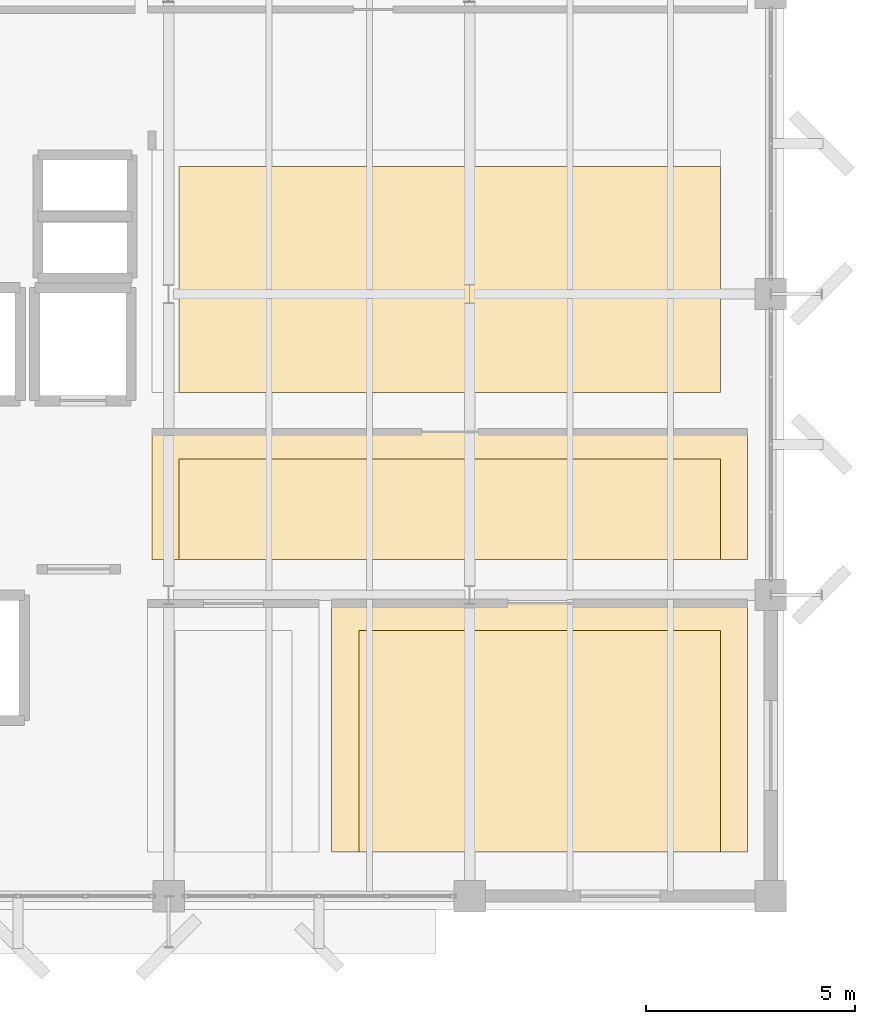
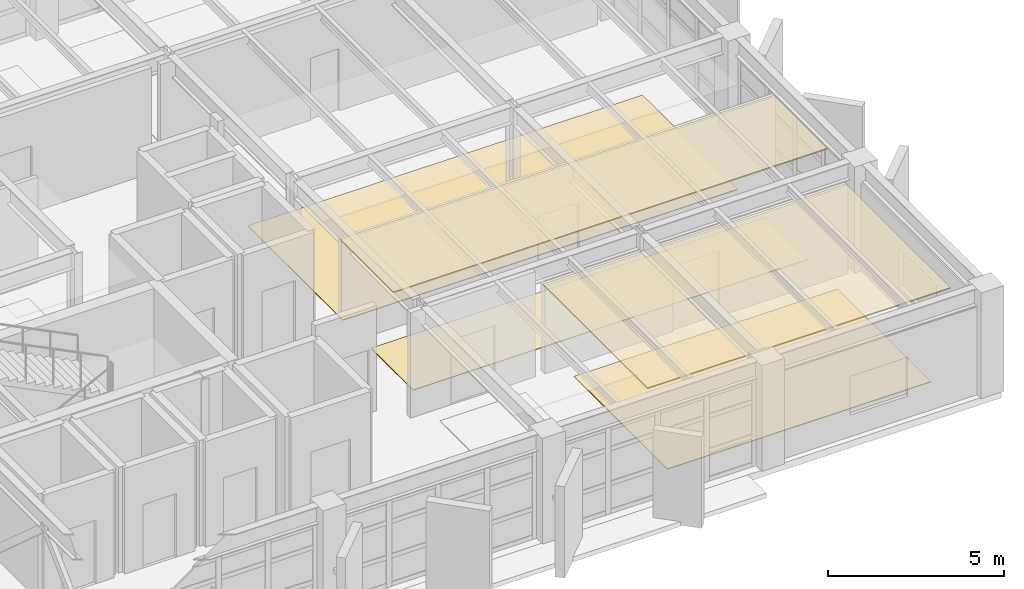
# One storey, part 22 of 24: 5 coverings.
"""IFC4 building model written with IfcOpenShell, lengths in metres."""

from ifc_helpers import new_model, si_unit, direction, frame, origin, place, context, subcontext, project, spatial, polyline, outline, extrude, material, layer, layer_set, type_object, element, save


model = new_model("IFC4")

# Units and contexts
model_context = context("Model", 3, precision=1e-05, world=origin(), true_north=direction((0.0, 1.0)))
body_context = subcontext(model_context, "Body", "Model", "MODEL_VIEW")
ifc_project = project(units=[si_unit("LENGTHUNIT", "METRE"), si_unit("AREAUNIT", "SQUARE_METRE"), si_unit("VOLUMEUNIT", "CUBIC_METRE"), si_unit("PLANEANGLEUNIT", "RADIAN"), si_unit("MASSUNIT", "GRAM", prefix="KILO")], contexts=[model_context])

# Site, building, storey
site_placement = place(None, origin())
site = spatial("IfcSite", under=ifc_project, at=site_placement, CompositionType="ELEMENT")
building_placement = place(site_placement, origin())
building = spatial("IfcBuilding", under=site, at=building_placement, Name="Kandorven Conservatory and Botanical Research Centre", CompositionType="ELEMENT")
storey_placement = place(building_placement, frame((0.0, 0.0, 21.0)))
storey = spatial("IfcBuildingStorey", under=building, at=storey_placement, Name="L05", CompositionType="ELEMENT", Elevation=21.0)

# Coverings
ifc_material_1 = material(Name="Perforated mineral-fibre acoustic ceiling tile", Category="gypsum")
ifc_layer_1 = layer(ifc_material_1, 0.0400390625)
ifc_layer_set_1 = layer_set([ifc_layer_1], Name="Perforated mineral-fibre acoustic ceiling tile")
covering_type_1 = type_object("IfcCoveringType", Name="Cov_Ceiling_1", PredefinedType="CEILING", material=ifc_layer_set_1)
covering_1_placement = place(storey_placement, frame((0.0, 0.0, 3.610107421875)))
element("IfcCovering", 1, at=covering_1_placement, inside=storey, type_object=covering_type_1, Name="Suspended acoustic ceiling CLG-01 (Plant Pathology Research Laboratory L05)", PredefinedType="CEILING", context=body_context, shape_type="SweptSolid", body=[
    extrude(outline(polyline([(27.199951171875, 14.050048828125), (41.449951171875, 14.050048828125), (41.449951171875, 17.10009765625), (27.199951171875, 17.10009765625), (27.199951171875, 14.050048828125)])), origin(), (0.0, 0.0, 1.0), 0.039794921875),
])
covering_2_placement = place(storey_placement, frame((0.0, 0.0, 3.02001953125)))
element("IfcCovering", 2, at=covering_2_placement, inside=storey, type_object=covering_type_1, Name="Suspended acoustic ceiling CLG-01 (Seed Biology Research Laboratory L05)", PredefinedType="CEILING", context=body_context, shape_type="SweptSolid", body=[
    extrude(outline(polyline([(31.5, 7.050048828125), (41.449951171875, 7.050048828125), (41.449951171875, 13.0), (31.5, 13.0), (31.5, 7.050048828125)])), origin(), (0.0, 0.0, 1.0), 0.0400390625),
])
ifc_material_2 = material(Name="Honed Kota stone and epoxy laboratory flooring", Category="masonry")
ifc_layer_2 = layer(ifc_material_2, 0.02490234375)
ifc_layer_set_2 = layer_set([ifc_layer_2], Name="Honed Kota stone and epoxy laboratory flooring")
covering_type_2 = type_object("IfcCoveringType", Name="Cov_Flooring_1", PredefinedType="FLOORING", material=ifc_layer_set_2)
covering_3_placement = place(storey_placement, origin())
element("IfcCovering", 3, at=covering_3_placement, inside=storey, type_object=covering_type_2, Name="Floor finish FLR-01 (Plant Pathology Research Laboratory L05)", PredefinedType="FLOORING", context=body_context, shape_type="SweptSolid", body=[
    extrude(outline(polyline([(27.85009765625, 14.050048828125), (40.800048828125, 14.050048828125), (40.800048828125, 16.449951171875), (27.85009765625, 16.449951171875), (27.85009765625, 14.050048828125)])), origin(), (0.0, 0.0, 1.0), 0.02490234375),
])
covering_4_placement = place(storey_placement, origin())
element("IfcCovering", 4, at=covering_4_placement, inside=storey, type_object=covering_type_2, Name="Floor finish FLR-01 (Seed Biology Research Laboratory L05)", PredefinedType="FLOORING", context=body_context, shape_type="SweptSolid", body=[
    extrude(outline(polyline([(32.14990234375, 7.050048828125), (40.800048828125, 7.050048828125), (40.800048828125, 12.35009765625), (32.14990234375, 12.35009765625), (32.14990234375, 7.050048828125)])), origin(), (0.0, 0.0, 1.0), 0.02490234375),
])
covering_5_placement = place(storey_placement, origin())
element("IfcCovering", 5, at=covering_5_placement, inside=storey, type_object=covering_type_2, Name="Floor finish FLR-01 (Botanical Curation Studio L05)", PredefinedType="FLOORING", context=body_context, shape_type="SweptSolid", body=[
    extrude(outline(polyline([(27.85009765625, 18.050048828125), (40.800048828125, 18.050048828125), (40.800048828125, 23.449951171875), (27.85009765625, 23.449951171875), (27.85009765625, 18.050048828125)])), origin(), (0.0, 0.0, 1.0), 0.02490234375),
])

save(model, "model.ifc")
